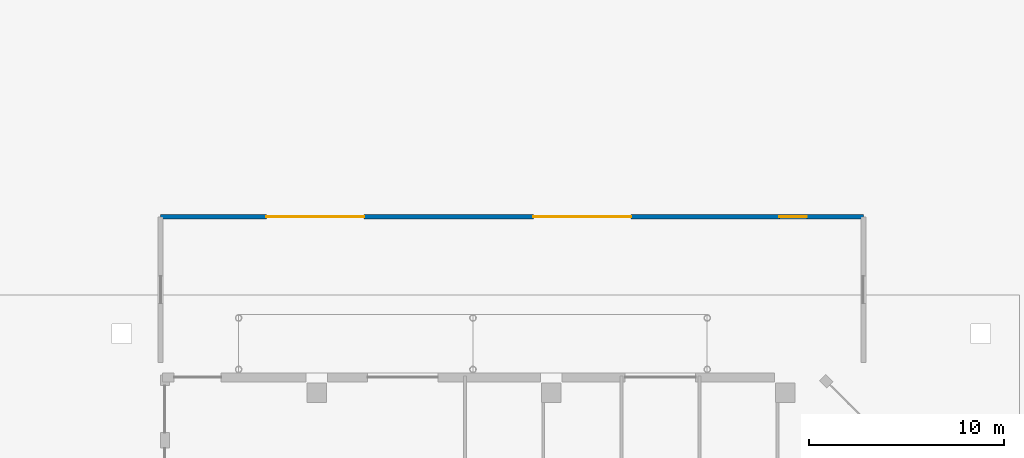
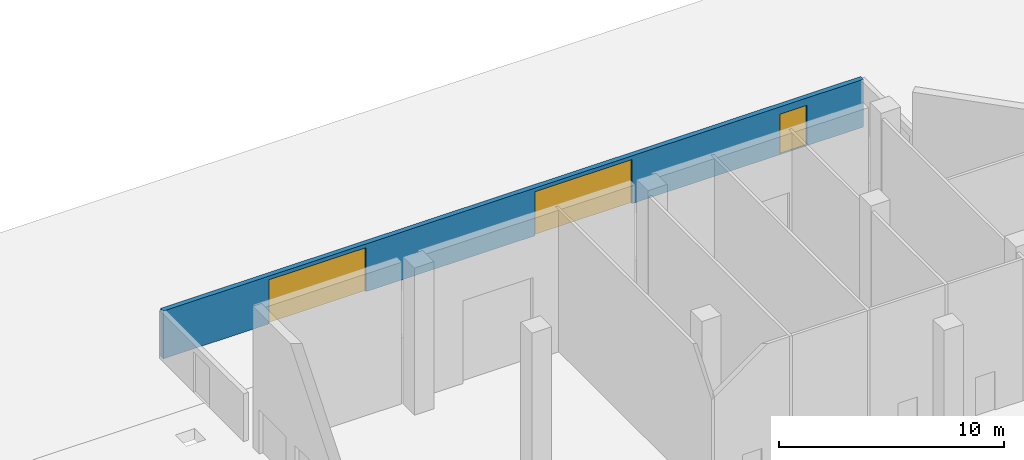
# One storey, part 28 of 41: 3 doors, 1 wall, 3 openings.
"""IFC4 building model written with IfcOpenShell, lengths in metres."""

from ifc_helpers import new_model, si_unit, direction, frame, frame_2d, origin, place, context, subcontext, project, spatial, rectangle, extrude, material, layer, layer_set, type_object, element, fill, save


model = new_model("IFC4")

# Units and contexts
model_context = context("Model", 3, precision=1e-05, world=origin(), true_north=direction((0.0, 1.0)))
body_context = subcontext(model_context, "Body", "Model", "MODEL_VIEW")
ifc_project = project(units=[si_unit("LENGTHUNIT", "METRE"), si_unit("AREAUNIT", "SQUARE_METRE"), si_unit("VOLUMEUNIT", "CUBIC_METRE"), si_unit("PLANEANGLEUNIT", "RADIAN"), si_unit("MASSUNIT", "GRAM", prefix="KILO")], contexts=[model_context])

# Site, building, storey
site_placement = place(None, origin())
site = spatial("IfcSite", under=ifc_project, at=site_placement, CompositionType="ELEMENT")
building_placement = place(site_placement, origin())
building = spatial("IfcBuilding", under=site, at=building_placement, Name="Wharfspan Tower", CompositionType="ELEMENT")
storey_placement = place(building_placement, origin())
storey = spatial("IfcBuildingStorey", under=building, at=storey_placement, Name="L00", CompositionType="ELEMENT", Elevation=0.0)

# Wall, openings, doors
ifc_material_1 = material(Name="Concrete C40/50", Category="concrete")
ifc_layer = layer(ifc_material_1, 0.25)
ifc_layer_set = layer_set([ifc_layer], Name="Concrete C40/50")
wall_type = type_object("IfcWallType", Name="SCREEN WALL CONCRETE 250", PredefinedType="SOLIDWALL", material=ifc_layer_set)
wall_placement = place(storey_placement, frame((68.0, 64.0, 0.0), z_axis=(0.0, 0.0, 1.0), x_axis=(1.0, 0.0, 0.0)))
wall = element("IfcWall", 1, at=wall_placement, inside=storey, type_object=wall_type, Name="Loading court screen wall", PredefinedType="SOLIDWALL", context=body_context, shape_type="SweptSolid", body=[
    extrude(rectangle(XDim=36.0, YDim=0.25, at=frame_2d((18.0, 0.0))), origin(), (0.0, 0.0, 1.0), 2.600098),
])
opening_1_placement = place(wall_placement, frame((5.419922, 0.0, 0.0)))
opening_1 = element("IfcOpeningElement", 2, at=opening_1_placement, cuts=wall, Name="Opening GT1", PredefinedType="OPENING", context=body_context, shape_type="SweptSolid", body=[
    extrude(rectangle(XDim=5.0, YDim=2.399902, at=frame_2d((2.5, 1.199951))), frame((0.0, 0.13501, 0.0), z_axis=(0.0, -1.0, 0.0), x_axis=(1.0, 0.0, 0.0)), (0.0, 0.0, 1.0), 0.27002),
])
opening_2_placement = place(wall_placement, frame((19.100098, 0.0, 0.0)))
opening_2 = element("IfcOpeningElement", 3, at=opening_2_placement, cuts=wall, Name="Opening GT1", PredefinedType="OPENING", context=body_context, shape_type="SweptSolid", body=[
    extrude(rectangle(XDim=5.0, YDim=2.399902, at=frame_2d((2.5, 1.199951))), frame((0.0, 0.13501, 0.0), z_axis=(0.0, -1.0, 0.0), x_axis=(1.0, 0.0, 0.0)), (0.0, 0.0, 1.0), 0.27002),
])
opening_3_placement = place(wall_placement, frame((31.699951, 0.0, 0.0)))
opening_3 = element("IfcOpeningElement", 4, at=opening_3_placement, cuts=wall, Name="Opening GT2", PredefinedType="OPENING", context=body_context, shape_type="SweptSolid", body=[
    extrude(rectangle(XDim=1.399902, YDim=2.199951, at=frame_2d((0.699951, 1.100098))), frame((0.0, 0.13501, 0.0), z_axis=(0.0, -1.0, 0.0), x_axis=(1.0, 0.0, 0.0)), (0.0, 0.0, 1.0), 0.27002),
])
ifc_material_2 = material(Name="Steel S355J2", Category="steel")
door_type_1 = type_object("IfcDoorType", Name="SERVICE GATE 1400x2200", OperationType="SINGLE_SWING_LEFT", PredefinedType="GATE", material=ifc_material_2)
door_1_placement = place(opening_3_placement, origin())
door_1 = element("IfcDoor", 5, at=door_1_placement, inside=storey, type_object=door_type_1, Name="Service gate", OperationType="SINGLE_SWING_LEFT", OverallHeight=2.199951, OverallWidth=1.399902, PredefinedType="GATE", context=body_context, shape_type="SweptSolid", body=[
    extrude(rectangle(XDim=1.399902, YDim=2.199951, at=frame_2d((0.699951, 1.100098))), frame((0.0, 0.024902, 0.0), z_axis=(0.0, -1.0, 0.0), x_axis=(1.0, 0.0, 0.0)), (0.0, 0.0, 1.0), 0.050049),
])
fill(opening_3, door_1)
door_type_2 = type_object("IfcDoorType", Name="VEHICLE GATE SLIDING 5000x2400", OperationType="SLIDING_TO_LEFT", PredefinedType="GATE", material=ifc_material_2)
door_2_placement = place(opening_1_placement, origin())
door_2 = element("IfcDoor", 6, at=door_2_placement, inside=storey, type_object=door_type_2, Name="Vehicle gate", OperationType="SLIDING_TO_LEFT", OverallHeight=2.399902, OverallWidth=5.0, PredefinedType="GATE", context=body_context, shape_type="SweptSolid", body=[
    extrude(rectangle(XDim=5.0, YDim=2.399902, at=frame_2d((2.5, 1.199951))), frame((0.0, 0.024902, 0.0), z_axis=(0.0, -1.0, 0.0), x_axis=(1.0, 0.0, 0.0)), (0.0, 0.0, 1.0), 0.050049),
])
fill(opening_1, door_2)
door_3_placement = place(opening_2_placement, origin())
door_3 = element("IfcDoor", 7, at=door_3_placement, inside=storey, type_object=door_type_2, Name="Vehicle gate", OperationType="SLIDING_TO_LEFT", OverallHeight=2.399902, OverallWidth=5.0, PredefinedType="GATE", context=body_context, shape_type="SweptSolid", body=[
    extrude(rectangle(XDim=5.0, YDim=2.399902, at=frame_2d((2.5, 1.199951))), frame((0.0, 0.024902, 0.0), z_axis=(0.0, -1.0, 0.0), x_axis=(1.0, 0.0, 0.0)), (0.0, 0.0, 1.0), 0.050049),
])
fill(opening_2, door_3)

save(model, "model.ifc")
